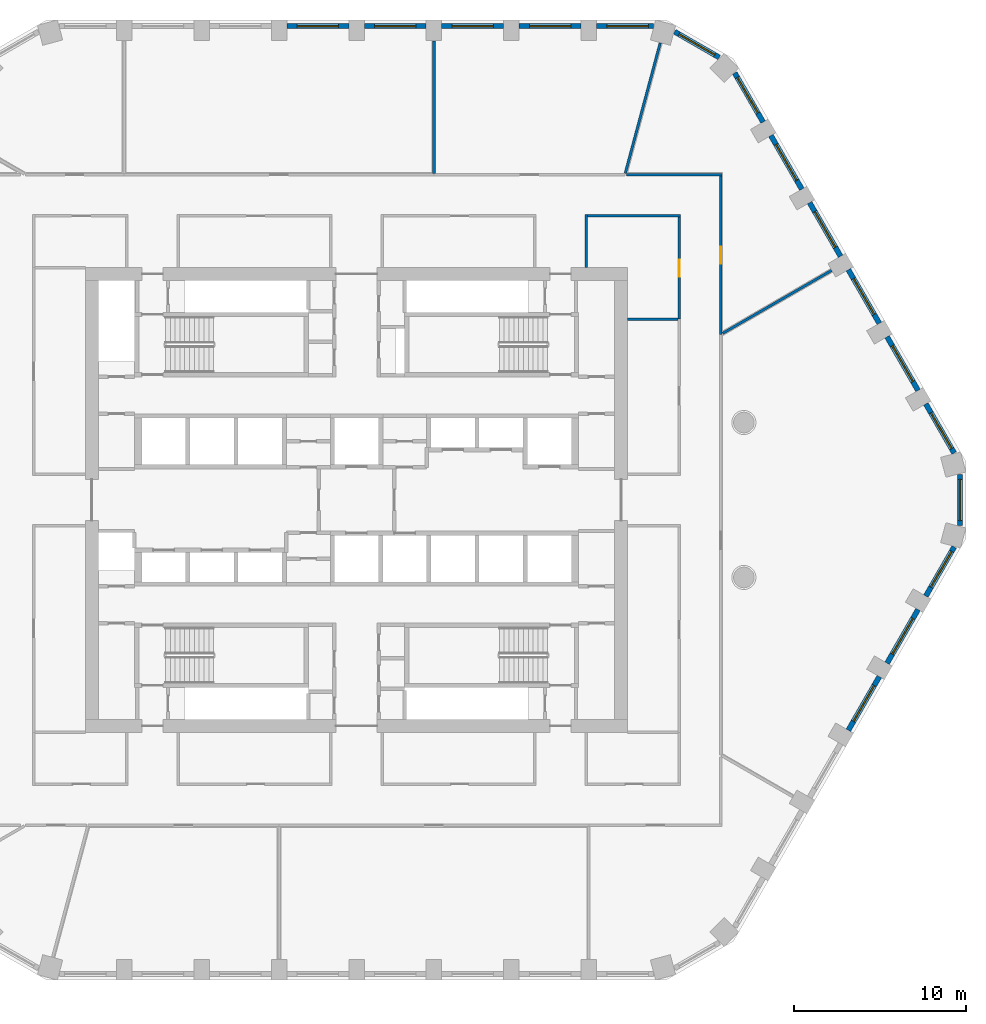
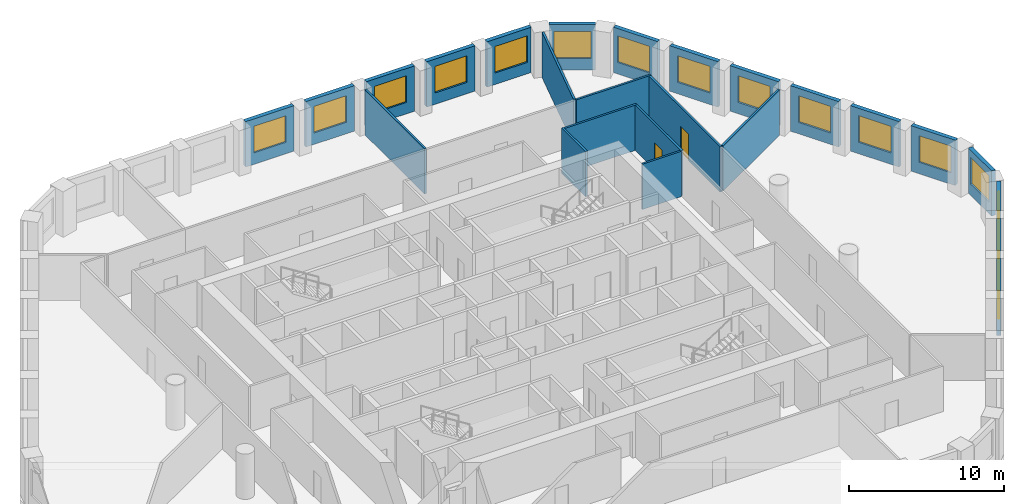
# One storey, part 8 of 14: 25 walls, 16 windows, 2 doors, 18 openings.
"""IFC4 building model written with IfcOpenShell, lengths in metres."""

from ifc_helpers import new_model, si_unit, direction, frame, frame_2d, origin, place, context, subcontext, project, spatial, rectangle, extrude, material, layer, layer_set, type_object, element, fill, save


model = new_model("IFC4")

# Units and contexts
model_context = context("Model", 3, precision=1e-05, world=origin(), true_north=direction((0.0, 1.0)))
body_context = subcontext(model_context, "Body", "Model", "MODEL_VIEW")
ifc_project = project(units=[si_unit("LENGTHUNIT", "METRE"), si_unit("AREAUNIT", "SQUARE_METRE"), si_unit("VOLUMEUNIT", "CUBIC_METRE"), si_unit("PLANEANGLEUNIT", "RADIAN"), si_unit("MASSUNIT", "GRAM", prefix="KILO")], contexts=[model_context])

# Site, building, storey
site_placement = place(None, origin())
site = spatial("IfcSite", under=ifc_project, at=site_placement, CompositionType="ELEMENT")
building_placement = place(site_placement, origin())
building = spatial("IfcBuilding", under=site, at=building_placement, Name="Dhurran Vertical Campus", CompositionType="ELEMENT")
storey_placement = place(building_placement, frame((0.0, 0.0, 140.39990234375)))
storey = spatial("IfcBuildingStorey", under=building, at=storey_placement, Name="L34", CompositionType="ELEMENT", Elevation=140.39990234375)

# Wall, opening, window
ifc_material_1 = material(Name="Precast concrete C50/60", Category="concrete")
ifc_layer_1 = layer(ifc_material_1, 0.300048828125)
ifc_layer_set_1 = layer_set([ifc_layer_1], Name="Precast concrete C50/60")
wall_type_1 = type_object("IfcWallType", Name="Precast spandrel wall 300", PredefinedType="SOLIDWALL", material=ifc_layer_set_1)
wall_1_placement = place(storey_placement, frame((28.5693359375, -13.376220703125, 0.0), z_axis=(0.0, 0.0, 1.0), x_axis=(0.500027802648, 0.866009351323, 0.0)))
wall_1 = element("IfcWall", 1, at=wall_1_placement, inside=storey, type_object=wall_type_1, Name="EW1 L34.12", PredefinedType="SOLIDWALL", context=body_context, shape_type="SweptSolid", body=[
    extrude(rectangle(XDim=3.598876953125, YDim=0.300048828125, at=frame_2d((1.79931640625, 0.0))), origin(), (0.0, 0.0, 1.0), 3.5751953125),
])
opening_1_placement = place(wall_1_placement, frame((0.599609375, 0.0, 0.89990234375)))
opening_1 = element("IfcOpeningElement", 2, at=opening_1_placement, cuts=wall_1, Name="Opening WT1", PredefinedType="OPENING", context=body_context, shape_type="SweptSolid", body=[
    extrude(rectangle(XDim=2.39990234375, YDim=2.10009765625, at=frame_2d((1.199951171875, 1.050048828125))), frame((0.0, 0.159912109375, 0.0), z_axis=(0.0, -1.0, 0.0), x_axis=(1.0, 0.0, 0.0)), (0.0, 0.0, 1.0), 0.320068359375),
])
ifc_material_2 = material(Name="Aluminium frame with solar-control glass", Category="aluminium")
window_type = type_object("IfcWindowType", Name="Punched window 2400 x 2100", PartitioningType="SINGLE_PANEL", PredefinedType="WINDOW", material=ifc_material_2)
window_1_placement = place(opening_1_placement, origin())
window_1 = element("IfcWindow", 3, at=window_1_placement, inside=storey, type_object=window_type, Name="WT1 L34.12", OverallHeight=2.10009765625, OverallWidth=2.39990234375, PartitioningType="SINGLE_PANEL", PredefinedType="WINDOW", context=body_context, shape_type="SweptSolid", body=[
    extrude(rectangle(XDim=2.39990234375, YDim=2.10009765625, at=frame_2d((1.199951171875, 1.050048828125))), frame((0.0, 0.030029296875, 0.0), z_axis=(0.0, -1.0, 0.0), x_axis=(1.0, 0.0, 0.0)), (0.0, 0.0, 1.0), 0.06005859375),
])
fill(opening_1, window_1)

wall_2_placement = place(storey_placement, frame((30.8193359375, -9.47900390625, 0.0), z_axis=(0.0, 0.0, 1.0), x_axis=(0.500027802648, 0.866009351323, 0.0)))
wall_2 = element("IfcWall", 4, at=wall_2_placement, inside=storey, type_object=wall_type_1, Name="EW1 L34.13", PredefinedType="SOLIDWALL", context=body_context, shape_type="SweptSolid", body=[
    extrude(rectangle(XDim=3.598876953125, YDim=0.300048828125, at=frame_2d((1.79931640625, 0.0))), origin(), (0.0, 0.0, 1.0), 3.5751953125),
])
opening_2_placement = place(wall_2_placement, frame((0.599609375, 0.0, 0.89990234375)))
opening_2 = element("IfcOpeningElement", 5, at=opening_2_placement, cuts=wall_2, Name="Opening WT1", PredefinedType="OPENING", context=body_context, shape_type="SweptSolid", body=[
    extrude(rectangle(XDim=2.39990234375, YDim=2.10009765625, at=frame_2d((1.199951171875, 1.050048828125))), frame((0.0, 0.159912109375, 0.0), z_axis=(0.0, -1.0, 0.0), x_axis=(1.0, 0.0, 0.0)), (0.0, 0.0, 1.0), 0.320068359375),
])
window_2_placement = place(opening_2_placement, origin())
window_2 = element("IfcWindow", 6, at=window_2_placement, inside=storey, type_object=window_type, Name="WT1 L34.13", OverallHeight=2.10009765625, OverallWidth=2.39990234375, PartitioningType="SINGLE_PANEL", PredefinedType="WINDOW", context=body_context, shape_type="SweptSolid", body=[
    extrude(rectangle(XDim=2.39990234375, YDim=2.10009765625, at=frame_2d((1.199951171875, 1.050048828125))), frame((0.0, 0.030029296875, 0.0), z_axis=(0.0, -1.0, 0.0), x_axis=(1.0, 0.0, 0.0)), (0.0, 0.0, 1.0), 0.06005859375),
])
fill(opening_2, window_2)

wall_3_placement = place(storey_placement, frame((33.0693359375, -5.58203125, 0.0), z_axis=(0.0, 0.0, 1.0), x_axis=(0.499981217486, 0.866036247602, 0.0)))
wall_3 = element("IfcWall", 7, at=wall_3_placement, inside=storey, type_object=wall_type_1, Name="EW1 L34.14", PredefinedType="SOLIDWALL", context=body_context, shape_type="SweptSolid", body=[
    extrude(rectangle(XDim=3.294189453125, YDim=0.300048828125, at=frame_2d((1.64697265625, 0.0))), origin(), (0.0, 0.0, 1.0), 3.5751953125),
])
opening_3_placement = place(wall_3_placement, frame((0.599609375, 0.0, 0.89990234375)))
opening_3 = element("IfcOpeningElement", 8, at=opening_3_placement, cuts=wall_3, Name="Opening WT1", PredefinedType="OPENING", context=body_context, shape_type="SweptSolid", body=[
    extrude(rectangle(XDim=2.39990234375, YDim=2.10009765625, at=frame_2d((1.199951171875, 1.050048828125))), frame((0.0, 0.159912109375, 0.0), z_axis=(0.0, -1.0, 0.0), x_axis=(1.0, 0.0, 0.0)), (0.0, 0.0, 1.0), 0.320068359375),
])
window_3_placement = place(opening_3_placement, origin())
window_3 = element("IfcWindow", 9, at=window_3_placement, inside=storey, type_object=window_type, Name="WT1 L34.14", OverallHeight=2.10009765625, OverallWidth=2.39990234375, PartitioningType="SINGLE_PANEL", PredefinedType="WINDOW", context=body_context, shape_type="SweptSolid", body=[
    extrude(rectangle(XDim=2.39990234375, YDim=2.10009765625, at=frame_2d((1.199951171875, 1.050048828125))), frame((0.0, 0.030029296875, 0.0), z_axis=(0.0, -1.0, 0.0), x_axis=(1.0, 0.0, 0.0)), (0.0, 0.0, 1.0), 0.06005859375),
])
fill(opening_3, window_3)

wall_4_placement = place(storey_placement, frame((35.047119140625, -1.49462890625, 0.0), z_axis=(0.0, 0.0, 1.0), x_axis=(0.0, 1.0, 0.0)))
wall_4 = element("IfcWall", 10, at=wall_4_placement, inside=storey, type_object=wall_type_1, Name="EW1 L34.15", PredefinedType="SOLIDWALL", context=body_context, shape_type="SweptSolid", body=[
    extrude(rectangle(XDim=2.9892578125, YDim=0.300048828125, at=frame_2d((1.49462890625, 0.0))), origin(), (0.0, 0.0, 1.0), 3.5751953125),
])
opening_4_placement = place(wall_4_placement, frame((0.294677734375, 0.0, 0.89990234375)))
opening_4 = element("IfcOpeningElement", 11, at=opening_4_placement, cuts=wall_4, Name="Opening WT1", PredefinedType="OPENING", context=body_context, shape_type="SweptSolid", body=[
    extrude(rectangle(XDim=2.39990234375, YDim=2.10009765625, at=frame_2d((1.199951171875, 1.050048828125))), frame((0.0, 0.159912109375, 0.0), z_axis=(0.0, -1.0, 0.0), x_axis=(1.0, 0.0, 0.0)), (0.0, 0.0, 1.0), 0.320068359375),
])
window_4_placement = place(opening_4_placement, origin())
window_4 = element("IfcWindow", 12, at=window_4_placement, inside=storey, type_object=window_type, Name="WT1 L34.15", OverallHeight=2.10009765625, OverallWidth=2.39990234375, PartitioningType="SINGLE_PANEL", PredefinedType="WINDOW", context=body_context, shape_type="SweptSolid", body=[
    extrude(rectangle(XDim=2.39990234375, YDim=2.10009765625, at=frame_2d((1.199951171875, 1.050048828125))), frame((0.0, 0.030029296875, 0.0), z_axis=(0.0, -1.0, 0.0), x_axis=(1.0, 0.0, 0.0)), (0.0, 0.0, 1.0), 0.06005859375),
])
fill(opening_4, window_4)

wall_5_placement = place(storey_placement, frame((34.71630859375, 2.729248046875, 0.0), z_axis=(0.0, 0.0, 1.0), x_axis=(-0.499981217486, 0.866036247602, 0.0)))
wall_5 = element("IfcWall", 13, at=wall_5_placement, inside=storey, type_object=wall_type_1, Name="EW1 L34.16", PredefinedType="SOLIDWALL", context=body_context, shape_type="SweptSolid", body=[
    extrude(rectangle(XDim=3.294189453125, YDim=0.300048828125, at=frame_2d((1.64697265625, 0.0))), origin(), (0.0, 0.0, 1.0), 3.5751953125),
])
opening_5_placement = place(wall_5_placement, frame((0.294677734375, 0.0, 0.89990234375)))
opening_5 = element("IfcOpeningElement", 14, at=opening_5_placement, cuts=wall_5, Name="Opening WT1", PredefinedType="OPENING", context=body_context, shape_type="SweptSolid", body=[
    extrude(rectangle(XDim=2.39990234375, YDim=2.10009765625, at=frame_2d((1.199951171875, 1.050048828125))), frame((0.0, 0.159912109375, 0.0), z_axis=(0.0, -1.0, 0.0), x_axis=(1.0, 0.0, 0.0)), (0.0, 0.0, 1.0), 0.320068359375),
])
window_5_placement = place(opening_5_placement, origin())
window_5 = element("IfcWindow", 15, at=window_5_placement, inside=storey, type_object=window_type, Name="WT1 L34.16", OverallHeight=2.10009765625, OverallWidth=2.39990234375, PartitioningType="SINGLE_PANEL", PredefinedType="WINDOW", context=body_context, shape_type="SweptSolid", body=[
    extrude(rectangle(XDim=2.39990234375, YDim=2.10009765625, at=frame_2d((1.199951171875, 1.050048828125))), frame((0.0, 0.030029296875, 0.0), z_axis=(0.0, -1.0, 0.0), x_axis=(1.0, 0.0, 0.0)), (0.0, 0.0, 1.0), 0.06005859375),
])
fill(opening_5, window_5)

wall_6_placement = place(storey_placement, frame((32.618896484375, 6.3623046875, 0.0), z_axis=(0.0, 0.0, 1.0), x_axis=(-0.500027802648, 0.866009351323, 0.0)))
wall_6 = element("IfcWall", 16, at=wall_6_placement, inside=storey, type_object=wall_type_1, Name="EW1 L34.17", PredefinedType="SOLIDWALL", context=body_context, shape_type="SweptSolid", body=[
    extrude(rectangle(XDim=3.598876953125, YDim=0.300048828125, at=frame_2d((1.79931640625, 0.0))), origin(), (0.0, 0.0, 1.0), 3.5751953125),
])
opening_6_placement = place(wall_6_placement, frame((0.599609375, 0.0, 0.89990234375)))
opening_6 = element("IfcOpeningElement", 17, at=opening_6_placement, cuts=wall_6, Name="Opening WT1", PredefinedType="OPENING", context=body_context, shape_type="SweptSolid", body=[
    extrude(rectangle(XDim=2.39990234375, YDim=2.10009765625, at=frame_2d((1.199951171875, 1.050048828125))), frame((0.0, 0.159912109375, 0.0), z_axis=(0.0, -1.0, 0.0), x_axis=(1.0, 0.0, 0.0)), (0.0, 0.0, 1.0), 0.320068359375),
])
window_6_placement = place(opening_6_placement, origin())
window_6 = element("IfcWindow", 18, at=window_6_placement, inside=storey, type_object=window_type, Name="WT1 L34.17", OverallHeight=2.10009765625, OverallWidth=2.39990234375, PartitioningType="SINGLE_PANEL", PredefinedType="WINDOW", context=body_context, shape_type="SweptSolid", body=[
    extrude(rectangle(XDim=2.39990234375, YDim=2.10009765625, at=frame_2d((1.199951171875, 1.050048828125))), frame((0.0, 0.030029296875, 0.0), z_axis=(0.0, -1.0, 0.0), x_axis=(1.0, 0.0, 0.0)), (0.0, 0.0, 1.0), 0.06005859375),
])
fill(opening_6, window_6)

wall_7_placement = place(storey_placement, frame((30.368896484375, 10.259521484375, 0.0), z_axis=(0.0, 0.0, 1.0), x_axis=(-0.500027802648, 0.866009351323, 0.0)))
wall_7 = element("IfcWall", 19, at=wall_7_placement, inside=storey, type_object=wall_type_1, Name="EW1 L34.18", PredefinedType="SOLIDWALL", context=body_context, shape_type="SweptSolid", body=[
    extrude(rectangle(XDim=3.598876953125, YDim=0.300048828125, at=frame_2d((1.79931640625, 0.0))), origin(), (0.0, 0.0, 1.0), 3.5751953125),
])
opening_7_placement = place(wall_7_placement, frame((0.599609375, 0.0, 0.89990234375)))
opening_7 = element("IfcOpeningElement", 20, at=opening_7_placement, cuts=wall_7, Name="Opening WT1", PredefinedType="OPENING", context=body_context, shape_type="SweptSolid", body=[
    extrude(rectangle(XDim=2.39990234375, YDim=2.10009765625, at=frame_2d((1.199951171875, 1.050048828125))), frame((0.0, 0.159912109375, 0.0), z_axis=(0.0, -1.0, 0.0), x_axis=(1.0, 0.0, 0.0)), (0.0, 0.0, 1.0), 0.320068359375),
])
window_7_placement = place(opening_7_placement, origin())
window_7 = element("IfcWindow", 21, at=window_7_placement, inside=storey, type_object=window_type, Name="WT1 L34.18", OverallHeight=2.10009765625, OverallWidth=2.39990234375, PartitioningType="SINGLE_PANEL", PredefinedType="WINDOW", context=body_context, shape_type="SweptSolid", body=[
    extrude(rectangle(XDim=2.39990234375, YDim=2.10009765625, at=frame_2d((1.199951171875, 1.050048828125))), frame((0.0, 0.030029296875, 0.0), z_axis=(0.0, -1.0, 0.0), x_axis=(1.0, 0.0, 0.0)), (0.0, 0.0, 1.0), 0.06005859375),
])
fill(opening_7, window_7)

wall_8_placement = place(storey_placement, frame((28.118896484375, 14.156494140625, 0.0), z_axis=(0.0, 0.0, 1.0), x_axis=(-0.500027802648, 0.866009351323, 0.0)))
wall_8 = element("IfcWall", 22, at=wall_8_placement, inside=storey, type_object=wall_type_1, Name="EW1 L34.19", PredefinedType="SOLIDWALL", context=body_context, shape_type="SweptSolid", body=[
    extrude(rectangle(XDim=3.598876953125, YDim=0.300048828125, at=frame_2d((1.79931640625, 0.0))), origin(), (0.0, 0.0, 1.0), 3.5751953125),
])
opening_8_placement = place(wall_8_placement, frame((0.599609375, 0.0, 0.89990234375)))
opening_8 = element("IfcOpeningElement", 23, at=opening_8_placement, cuts=wall_8, Name="Opening WT1", PredefinedType="OPENING", context=body_context, shape_type="SweptSolid", body=[
    extrude(rectangle(XDim=2.39990234375, YDim=2.10009765625, at=frame_2d((1.199951171875, 1.050048828125))), frame((0.0, 0.159912109375, 0.0), z_axis=(0.0, -1.0, 0.0), x_axis=(1.0, 0.0, 0.0)), (0.0, 0.0, 1.0), 0.320068359375),
])
window_8_placement = place(opening_8_placement, origin())
window_8 = element("IfcWindow", 24, at=window_8_placement, inside=storey, type_object=window_type, Name="WT1 L34.19", OverallHeight=2.10009765625, OverallWidth=2.39990234375, PartitioningType="SINGLE_PANEL", PredefinedType="WINDOW", context=body_context, shape_type="SweptSolid", body=[
    extrude(rectangle(XDim=2.39990234375, YDim=2.10009765625, at=frame_2d((1.199951171875, 1.050048828125))), frame((0.0, 0.030029296875, 0.0), z_axis=(0.0, -1.0, 0.0), x_axis=(1.0, 0.0, 0.0)), (0.0, 0.0, 1.0), 0.06005859375),
])
fill(opening_8, window_8)

wall_9_placement = place(storey_placement, frame((25.868896484375, 18.0537109375, 0.0), z_axis=(0.0, 0.0, 1.0), x_axis=(-0.500027802648, 0.866009351323, 0.0)))
wall_9 = element("IfcWall", 25, at=wall_9_placement, inside=storey, type_object=wall_type_1, Name="EW1 L34.20", PredefinedType="SOLIDWALL", context=body_context, shape_type="SweptSolid", body=[
    extrude(rectangle(XDim=3.598876953125, YDim=0.300048828125, at=frame_2d((1.79931640625, 0.0))), origin(), (0.0, 0.0, 1.0), 3.5751953125),
])
opening_9_placement = place(wall_9_placement, frame((0.599609375, 0.0, 0.89990234375)))
opening_9 = element("IfcOpeningElement", 26, at=opening_9_placement, cuts=wall_9, Name="Opening WT1", PredefinedType="OPENING", context=body_context, shape_type="SweptSolid", body=[
    extrude(rectangle(XDim=2.39990234375, YDim=2.10009765625, at=frame_2d((1.199951171875, 1.050048828125))), frame((0.0, 0.159912109375, 0.0), z_axis=(0.0, -1.0, 0.0), x_axis=(1.0, 0.0, 0.0)), (0.0, 0.0, 1.0), 0.320068359375),
])
window_9_placement = place(opening_9_placement, origin())
window_9 = element("IfcWindow", 27, at=window_9_placement, inside=storey, type_object=window_type, Name="WT1 L34.20", OverallHeight=2.10009765625, OverallWidth=2.39990234375, PartitioningType="SINGLE_PANEL", PredefinedType="WINDOW", context=body_context, shape_type="SweptSolid", body=[
    extrude(rectangle(XDim=2.39990234375, YDim=2.10009765625, at=frame_2d((1.199951171875, 1.050048828125))), frame((0.0, 0.030029296875, 0.0), z_axis=(0.0, -1.0, 0.0), x_axis=(1.0, 0.0, 0.0)), (0.0, 0.0, 1.0), 0.06005859375),
])
fill(opening_9, window_9)

wall_10_placement = place(storey_placement, frame((23.618896484375, 21.95068359375, 0.0), z_axis=(0.0, 0.0, 1.0), x_axis=(-0.500036802197, 0.866004154983, 0.0)))
wall_10 = element("IfcWall", 28, at=wall_10_placement, inside=storey, type_object=wall_type_1, Name="EW1 L34.21", PredefinedType="SOLIDWALL", context=body_context, shape_type="SweptSolid", body=[
    extrude(rectangle(XDim=3.294189453125, YDim=0.300048828125, at=frame_2d((1.64697265625, 0.0))), origin(), (0.0, 0.0, 1.0), 3.5751953125),
])
opening_10_placement = place(wall_10_placement, frame((0.599609375, 0.0, 0.89990234375)))
opening_10 = element("IfcOpeningElement", 29, at=opening_10_placement, cuts=wall_10, Name="Opening WT1", PredefinedType="OPENING", context=body_context, shape_type="SweptSolid", body=[
    extrude(rectangle(XDim=2.39990234375, YDim=2.10009765625, at=frame_2d((1.199951171875, 1.050048828125))), frame((0.0, 0.159912109375, 0.0), z_axis=(0.0, -1.0, 0.0), x_axis=(1.0, 0.0, 0.0)), (0.0, 0.0, 1.0), 0.320068359375),
])
window_10_placement = place(opening_10_placement, origin())
window_10 = element("IfcWindow", 30, at=window_10_placement, inside=storey, type_object=window_type, Name="WT1 L34.21", OverallHeight=2.10009765625, OverallWidth=2.39990234375, PartitioningType="SINGLE_PANEL", PredefinedType="WINDOW", context=body_context, shape_type="SweptSolid", body=[
    extrude(rectangle(XDim=2.39990234375, YDim=2.10009765625, at=frame_2d((1.199951171875, 1.050048828125))), frame((0.0, 0.030029296875, 0.0), z_axis=(0.0, -1.0, 0.0), x_axis=(1.0, 0.0, 0.0)), (0.0, 0.0, 1.0), 0.06005859375),
])
fill(opening_10, window_10)

wall_11_placement = place(storey_placement, frame((21.06787109375, 25.707275390625, 0.0), z_axis=(0.0, 0.0, 1.0), x_axis=(-0.866012844897, 0.500021752, 0.0)))
wall_11 = element("IfcWall", 31, at=wall_11_placement, inside=storey, type_object=wall_type_1, Name="EW1 L34.22", PredefinedType="SOLIDWALL", context=body_context, shape_type="SweptSolid", body=[
    extrude(rectangle(XDim=2.989013671875, YDim=0.300048828125, at=frame_2d((1.49462890625, 0.0))), origin(), (0.0, 0.0, 1.0), 3.5751953125),
])
opening_11_placement = place(wall_11_placement, frame((0.294677734375, 0.0, 0.89990234375)))
opening_11 = element("IfcOpeningElement", 32, at=opening_11_placement, cuts=wall_11, Name="Opening WT1", PredefinedType="OPENING", context=body_context, shape_type="SweptSolid", body=[
    extrude(rectangle(XDim=2.39990234375, YDim=2.10009765625, at=frame_2d((1.199951171875, 1.050048828125))), frame((0.0, 0.159912109375, 0.0), z_axis=(0.0, -1.0, 0.0), x_axis=(1.0, 0.0, 0.0)), (0.0, 0.0, 1.0), 0.320068359375),
])
window_11_placement = place(opening_11_placement, origin())
window_11 = element("IfcWindow", 33, at=window_11_placement, inside=storey, type_object=window_type, Name="WT1 L34.22", OverallHeight=2.10009765625, OverallWidth=2.39990234375, PartitioningType="SINGLE_PANEL", PredefinedType="WINDOW", context=body_context, shape_type="SweptSolid", body=[
    extrude(rectangle(XDim=2.39990234375, YDim=2.10009765625, at=frame_2d((1.199951171875, 1.050048828125))), frame((0.0, 0.030029296875, 0.0), z_axis=(0.0, -1.0, 0.0), x_axis=(1.0, 0.0, 0.0)), (0.0, 0.0, 1.0), 0.06005859375),
])
fill(opening_11, window_11)

wall_12_placement = place(storey_placement, frame((17.24462890625, 27.53271484375, 0.0), z_axis=(0.0, 0.0, 1.0), x_axis=(-1.0, 0.0, 0.0)))
wall_12 = element("IfcWall", 34, at=wall_12_placement, inside=storey, type_object=wall_type_1, Name="EW1 L34.23", PredefinedType="SOLIDWALL", context=body_context, shape_type="SweptSolid", body=[
    extrude(rectangle(XDim=3.294189453125, YDim=0.300048828125, at=frame_2d((1.64697265625, 0.0))), origin(), (0.0, 0.0, 1.0), 3.5751953125),
])
opening_12_placement = place(wall_12_placement, frame((0.294677734375, 0.0, 0.89990234375)))
opening_12 = element("IfcOpeningElement", 35, at=opening_12_placement, cuts=wall_12, Name="Opening WT1", PredefinedType="OPENING", context=body_context, shape_type="SweptSolid", body=[
    extrude(rectangle(XDim=2.39990234375, YDim=2.10009765625, at=frame_2d((1.199951171875, 1.050048828125))), frame((0.0, 0.159912109375, 0.0), z_axis=(0.0, -1.0, 0.0), x_axis=(1.0, 0.0, 0.0)), (0.0, 0.0, 1.0), 0.320068359375),
])
window_12_placement = place(opening_12_placement, origin())
window_12 = element("IfcWindow", 36, at=window_12_placement, inside=storey, type_object=window_type, Name="WT1 L34.23", OverallHeight=2.10009765625, OverallWidth=2.39990234375, PartitioningType="SINGLE_PANEL", PredefinedType="WINDOW", context=body_context, shape_type="SweptSolid", body=[
    extrude(rectangle(XDim=2.39990234375, YDim=2.10009765625, at=frame_2d((1.199951171875, 1.050048828125))), frame((0.0, 0.030029296875, 0.0), z_axis=(0.0, -1.0, 0.0), x_axis=(1.0, 0.0, 0.0)), (0.0, 0.0, 1.0), 0.06005859375),
])
fill(opening_12, window_12)

wall_13_placement = place(storey_placement, frame((13.049560546875, 27.53271484375, 0.0), z_axis=(0.0, 0.0, 1.0), x_axis=(-1.0, 0.0, 0.0)))
wall_13 = element("IfcWall", 37, at=wall_13_placement, inside=storey, type_object=wall_type_1, Name="EW1 L34.24", PredefinedType="SOLIDWALL", context=body_context, shape_type="SweptSolid", body=[
    extrude(rectangle(XDim=3.59912109375, YDim=0.300048828125, at=frame_2d((1.799560546875, 0.0))), origin(), (0.0, 0.0, 1.0), 3.5751953125),
])
opening_13_placement = place(wall_13_placement, frame((0.599609375, 0.0, 0.89990234375)))
opening_13 = element("IfcOpeningElement", 38, at=opening_13_placement, cuts=wall_13, Name="Opening WT1", PredefinedType="OPENING", context=body_context, shape_type="SweptSolid", body=[
    extrude(rectangle(XDim=2.39990234375, YDim=2.10009765625, at=frame_2d((1.199951171875, 1.050048828125))), frame((0.0, 0.159912109375, 0.0), z_axis=(0.0, -1.0, 0.0), x_axis=(1.0, 0.0, 0.0)), (0.0, 0.0, 1.0), 0.320068359375),
])
window_13_placement = place(opening_13_placement, origin())
window_13 = element("IfcWindow", 39, at=window_13_placement, inside=storey, type_object=window_type, Name="WT1 L34.24", OverallHeight=2.10009765625, OverallWidth=2.39990234375, PartitioningType="SINGLE_PANEL", PredefinedType="WINDOW", context=body_context, shape_type="SweptSolid", body=[
    extrude(rectangle(XDim=2.39990234375, YDim=2.10009765625, at=frame_2d((1.199951171875, 1.050048828125))), frame((0.0, 0.030029296875, 0.0), z_axis=(0.0, -1.0, 0.0), x_axis=(1.0, 0.0, 0.0)), (0.0, 0.0, 1.0), 0.06005859375),
])
fill(opening_13, window_13)

wall_14_placement = place(storey_placement, frame((8.549560546875, 27.53271484375, 0.0), z_axis=(0.0, 0.0, 1.0), x_axis=(-1.0, 0.0, 0.0)))
wall_14 = element("IfcWall", 40, at=wall_14_placement, inside=storey, type_object=wall_type_1, Name="EW1 L34.25", PredefinedType="SOLIDWALL", context=body_context, shape_type="SweptSolid", body=[
    extrude(rectangle(XDim=3.59912109375, YDim=0.300048828125, at=frame_2d((1.799560546875, 0.0))), origin(), (0.0, 0.0, 1.0), 3.5751953125),
])
opening_14_placement = place(wall_14_placement, frame((0.599609375, 0.0, 0.89990234375)))
opening_14 = element("IfcOpeningElement", 41, at=opening_14_placement, cuts=wall_14, Name="Opening WT1", PredefinedType="OPENING", context=body_context, shape_type="SweptSolid", body=[
    extrude(rectangle(XDim=2.39990234375, YDim=2.10009765625, at=frame_2d((1.199951171875, 1.050048828125))), frame((0.0, 0.159912109375, 0.0), z_axis=(0.0, -1.0, 0.0), x_axis=(1.0, 0.0, 0.0)), (0.0, 0.0, 1.0), 0.320068359375),
])
window_14_placement = place(opening_14_placement, origin())
window_14 = element("IfcWindow", 42, at=window_14_placement, inside=storey, type_object=window_type, Name="WT1 L34.25", OverallHeight=2.10009765625, OverallWidth=2.39990234375, PartitioningType="SINGLE_PANEL", PredefinedType="WINDOW", context=body_context, shape_type="SweptSolid", body=[
    extrude(rectangle(XDim=2.39990234375, YDim=2.10009765625, at=frame_2d((1.199951171875, 1.050048828125))), frame((0.0, 0.030029296875, 0.0), z_axis=(0.0, -1.0, 0.0), x_axis=(1.0, 0.0, 0.0)), (0.0, 0.0, 1.0), 0.06005859375),
])
fill(opening_14, window_14)

wall_15_placement = place(storey_placement, frame((4.049560546875, 27.53271484375, 0.0), z_axis=(0.0, 0.0, 1.0), x_axis=(-1.0, 0.0, 0.0)))
wall_15 = element("IfcWall", 43, at=wall_15_placement, inside=storey, type_object=wall_type_1, Name="EW1 L34.26", PredefinedType="SOLIDWALL", context=body_context, shape_type="SweptSolid", body=[
    extrude(rectangle(XDim=3.59912109375, YDim=0.300048828125, at=frame_2d((1.799560546875, 0.0))), origin(), (0.0, 0.0, 1.0), 3.5751953125),
])
opening_15_placement = place(wall_15_placement, frame((0.599609375, 0.0, 0.89990234375)))
opening_15 = element("IfcOpeningElement", 44, at=opening_15_placement, cuts=wall_15, Name="Opening WT1", PredefinedType="OPENING", context=body_context, shape_type="SweptSolid", body=[
    extrude(rectangle(XDim=2.39990234375, YDim=2.10009765625, at=frame_2d((1.199951171875, 1.050048828125))), frame((0.0, 0.159912109375, 0.0), z_axis=(0.0, -1.0, 0.0), x_axis=(1.0, 0.0, 0.0)), (0.0, 0.0, 1.0), 0.320068359375),
])
window_15_placement = place(opening_15_placement, origin())
window_15 = element("IfcWindow", 45, at=window_15_placement, inside=storey, type_object=window_type, Name="WT1 L34.26", OverallHeight=2.10009765625, OverallWidth=2.39990234375, PartitioningType="SINGLE_PANEL", PredefinedType="WINDOW", context=body_context, shape_type="SweptSolid", body=[
    extrude(rectangle(XDim=2.39990234375, YDim=2.10009765625, at=frame_2d((1.199951171875, 1.050048828125))), frame((0.0, 0.030029296875, 0.0), z_axis=(0.0, -1.0, 0.0), x_axis=(1.0, 0.0, 0.0)), (0.0, 0.0, 1.0), 0.06005859375),
])
fill(opening_15, window_15)

wall_16_placement = place(storey_placement, frame((-0.450439453125, 27.53271484375, 0.0), z_axis=(0.0, 0.0, 1.0), x_axis=(-1.0, 0.0, 0.0)))
wall_16 = element("IfcWall", 46, at=wall_16_placement, inside=storey, type_object=wall_type_1, Name="EW1 L34.27", PredefinedType="SOLIDWALL", context=body_context, shape_type="SweptSolid", body=[
    extrude(rectangle(XDim=3.59912109375, YDim=0.300048828125, at=frame_2d((1.799560546875, 0.0))), origin(), (0.0, 0.0, 1.0), 3.5751953125),
])
opening_16_placement = place(wall_16_placement, frame((0.599609375, 0.0, 0.89990234375)))
opening_16 = element("IfcOpeningElement", 47, at=opening_16_placement, cuts=wall_16, Name="Opening WT1", PredefinedType="OPENING", context=body_context, shape_type="SweptSolid", body=[
    extrude(rectangle(XDim=2.39990234375, YDim=2.10009765625, at=frame_2d((1.199951171875, 1.050048828125))), frame((0.0, 0.159912109375, 0.0), z_axis=(0.0, -1.0, 0.0), x_axis=(1.0, 0.0, 0.0)), (0.0, 0.0, 1.0), 0.320068359375),
])
window_16_placement = place(opening_16_placement, origin())
window_16 = element("IfcWindow", 48, at=window_16_placement, inside=storey, type_object=window_type, Name="WT1 L34.27", OverallHeight=2.10009765625, OverallWidth=2.39990234375, PartitioningType="SINGLE_PANEL", PredefinedType="WINDOW", context=body_context, shape_type="SweptSolid", body=[
    extrude(rectangle(XDim=2.39990234375, YDim=2.10009765625, at=frame_2d((1.199951171875, 1.050048828125))), frame((0.0, 0.030029296875, 0.0), z_axis=(0.0, -1.0, 0.0), x_axis=(1.0, 0.0, 0.0)), (0.0, 0.0, 1.0), 0.06005859375),
])
fill(opening_16, window_16)

# Walls
ifc_material_3 = material(Name="Gypsum board corridor wall on steel studs", Category="steel")
ifc_layer_2 = layer(ifc_material_3, 0.14990234375)
ifc_layer_set_2 = layer_set([ifc_layer_2], Name="Gypsum board corridor wall on steel studs")
wall_type_2 = type_object("IfcWallType", Name="fl-CW-150 corridor wall", PredefinedType="PARTITIONING", material=ifc_layer_set_2)
wall_17_placement = place(storey_placement, frame((13.35009765625, 13.5, 0.0), z_axis=(0.0, 0.0, 1.0), x_axis=(0.0, 1.0, 0.0)))
element("IfcWall", 49, at=wall_17_placement, inside=storey, type_object=wall_type_2, Name="Partition 34-44", PredefinedType="PARTITIONING", context=body_context, shape_type="SweptSolid", body=[
    extrude(rectangle(XDim=3.074951171875, YDim=0.14990234375, at=frame_2d((1.53759765625, 0.0))), origin(), (0.0, 0.0, 1.0), 3.5751953125),
])
wall_18_placement = place(storey_placement, frame((13.425048828125, 16.5, 0.0), z_axis=(0.0, 0.0, 1.0), x_axis=(1.0, 0.0, 0.0)))
element("IfcWall", 50, at=wall_18_placement, inside=storey, type_object=wall_type_2, Name="Partition 34-45", PredefinedType="PARTITIONING", context=body_context, shape_type="SweptSolid", body=[
    extrude(rectangle(XDim=5.39990234375, YDim=0.14990234375, at=frame_2d((2.699951171875, 0.0))), origin(), (0.0, 0.0, 1.0), 3.5751953125),
])
wall_19_placement = place(storey_placement, frame((21.22509765625, 18.89990234375, 0.0), z_axis=(0.0, 0.0, 1.0), x_axis=(-1.0, 0.0, 0.0)))
element("IfcWall", 51, at=wall_19_placement, inside=storey, type_object=wall_type_2, Name="Partition 34-49", PredefinedType="PARTITIONING", context=body_context, shape_type="SweptSolid", body=[
    extrude(rectangle(XDim=5.537109375, YDim=0.14990234375, at=frame_2d((2.7685546875, 0.0))), origin(), (0.0, 0.0, 1.0), 3.5751953125),
])

# Wall, opening, door
wall_20_placement = place(storey_placement, frame((18.75, 16.425048828125, 0.0), z_axis=(0.0, 0.0, 1.0), x_axis=(0.0, -1.0, 0.0)))
wall_20 = element("IfcWall", 52, at=wall_20_placement, inside=storey, type_object=wall_type_2, Name="Partition 34-57", PredefinedType="PARTITIONING", context=body_context, shape_type="SweptSolid", body=[
    extrude(rectangle(XDim=5.925048828125, YDim=0.14990234375, at=frame_2d((2.96240234375, 0.0))), origin(), (0.0, 0.0, 1.0), 3.5751953125),
])
opening_17_placement = place(wall_20_placement, frame((2.46240234375, 0.0, 0.0)))
opening_17 = element("IfcOpeningElement", 53, at=opening_17_placement, cuts=wall_20, Name="Opening T09.18", PredefinedType="OPENING", context=body_context, shape_type="SweptSolid", body=[
    extrude(rectangle(XDim=1.0, YDim=2.10009765625, at=frame_2d((0.5, 1.050048828125))), frame((0.0, 0.0849609375, 0.0), z_axis=(0.0, -1.0, 0.0), x_axis=(1.0, 0.0, 0.0)), (0.0, 0.0, 1.0), 0.169921875),
])
ifc_material_4 = material(Name="Solid-core timber door set, fire-rated", Category="wood")
door_type = type_object("IfcDoorType", Name="fl-D-1000x2100", OperationType="SINGLE_SWING_LEFT", PredefinedType="DOOR", material=ifc_material_4)
door_1_placement = place(opening_17_placement, origin())
door_1 = element("IfcDoor", 54, at=door_1_placement, inside=storey, type_object=door_type, Name="Door 34.18", OperationType="SINGLE_SWING_LEFT", OverallHeight=2.10009765625, OverallWidth=1.0, PredefinedType="DOOR", context=body_context, shape_type="SweptSolid", body=[
    extrude(rectangle(XDim=1.0, YDim=2.10009765625, at=frame_2d((0.5, 1.050048828125))), frame((0.0, 0.02490234375, 0.0), z_axis=(0.0, -1.0, 0.0), x_axis=(1.0, 0.0, 0.0)), (0.0, 0.0, 1.0), 0.050048828125),
])
fill(opening_17, door_1)

wall_21_placement = place(storey_placement, frame((21.14990234375, 9.613037109375, 0.0), z_axis=(0.0, 0.0, 1.0), x_axis=(0.0, 1.0, 0.0)))
wall_21 = element("IfcWall", 55, at=wall_21_placement, inside=storey, type_object=wall_type_2, Name="Partition 34-61", PredefinedType="PARTITIONING", context=body_context, shape_type="SweptSolid", body=[
    extrude(rectangle(XDim=9.2119140625, YDim=0.14990234375, at=frame_2d((4.60595703125, 0.0))), origin(), (0.0, 0.0, 1.0), 3.5751953125),
])
opening_18_placement = place(wall_21_placement, frame((4.10595703125, 0.0, 0.0)))
opening_18 = element("IfcOpeningElement", 56, at=opening_18_placement, cuts=wall_21, Name="Opening T09.22", PredefinedType="OPENING", context=body_context, shape_type="SweptSolid", body=[
    extrude(rectangle(XDim=1.0, YDim=2.10009765625, at=frame_2d((0.5, 1.050048828125))), frame((0.0, 0.0849609375, 0.0), z_axis=(0.0, -1.0, 0.0), x_axis=(1.0, 0.0, 0.0)), (0.0, 0.0, 1.0), 0.169921875),
])
door_2_placement = place(opening_18_placement, origin())
door_2 = element("IfcDoor", 57, at=door_2_placement, inside=storey, type_object=door_type, Name="Door 34.22", OperationType="SINGLE_SWING_RIGHT", OverallHeight=2.10009765625, OverallWidth=1.0, PredefinedType="DOOR", context=body_context, shape_type="SweptSolid", body=[
    extrude(rectangle(XDim=1.0, YDim=2.10009765625, at=frame_2d((0.5, 1.050048828125))), frame((0.0, 0.02490234375, 0.0), z_axis=(0.0, -1.0, 0.0), x_axis=(1.0, 0.0, 0.0)), (0.0, 0.0, 1.0), 0.050048828125),
])
fill(opening_18, door_2)

# Walls
ifc_material_5 = material(Name="Gypsum board partition on steel studs", Category="steel")
ifc_layer_3 = layer(ifc_material_5, 0.14990234375)
ifc_layer_set_3 = layer_set([ifc_layer_3], Name="Gypsum board partition on steel studs")
wall_type_3 = type_object("IfcWallType", Name="fl-PW-150 fixed partition", PredefinedType="PARTITIONING", material=ifc_layer_set_3)
wall_22_placement = place(storey_placement, frame((4.5, 26.66259765625, 0.0), z_axis=(0.0, 0.0, 1.0), x_axis=(0.0, -1.0, 0.0)))
element("IfcWall", 58, at=wall_22_placement, inside=storey, type_object=wall_type_3, Name="Partition 34-38", PredefinedType="PARTITIONING", context=body_context, shape_type="SweptSolid", body=[
    extrude(rectangle(XDim=7.6875, YDim=0.14990234375, at=frame_2d((3.84375, 0.0))), origin(), (0.0, 0.0, 1.0), 3.5751953125),
])
wall_23_placement = place(storey_placement, frame((17.642822265625, 26.548828125, 0.0), z_axis=(0.0, 0.0, 1.0), x_axis=(-0.258869363255, -0.965912342176, 0.0)))
element("IfcWall", 59, at=wall_23_placement, inside=storey, type_object=wall_type_3, Name="Partition 34-48", PredefinedType="PARTITIONING", context=body_context, shape_type="SweptSolid", body=[
    extrude(rectangle(XDim=7.84375, YDim=0.14990234375, at=frame_2d((3.921875, 0.0))), origin(), (0.0, 0.0, 1.0), 3.5751953125),
])
wall_24_placement = place(storey_placement, frame((18.675048828125, 10.5, 0.0), z_axis=(0.0, 0.0, 1.0), x_axis=(-1.0, 0.0, 0.0)))
element("IfcWall", 60, at=wall_24_placement, inside=storey, type_object=wall_type_3, Name="Partition 34-53", PredefinedType="PARTITIONING", context=body_context, shape_type="SweptSolid", body=[
    extrude(rectangle(XDim=2.925048828125, YDim=0.14990234375, at=frame_2d((1.46240234375, 0.0))), origin(), (0.0, 0.0, 1.0), 3.5751953125),
])
wall_25_placement = place(storey_placement, frame((27.590576171875, 13.331298828125, 0.0), z_axis=(0.0, 0.0, 1.0), x_axis=(-0.866030346483, -0.499991438897, 0.0)))
element("IfcWall", 61, at=wall_25_placement, inside=storey, type_object=wall_type_3, Name="Partition 34-62", PredefinedType="PARTITIONING", context=body_context, shape_type="SweptSolid", body=[
    extrude(rectangle(XDim=7.306884765625, YDim=0.14990234375, at=frame_2d((3.6533203125, 0.0))), origin(), (0.0, 0.0, 1.0), 3.5751953125),
])

save(model, "model.ifc")
